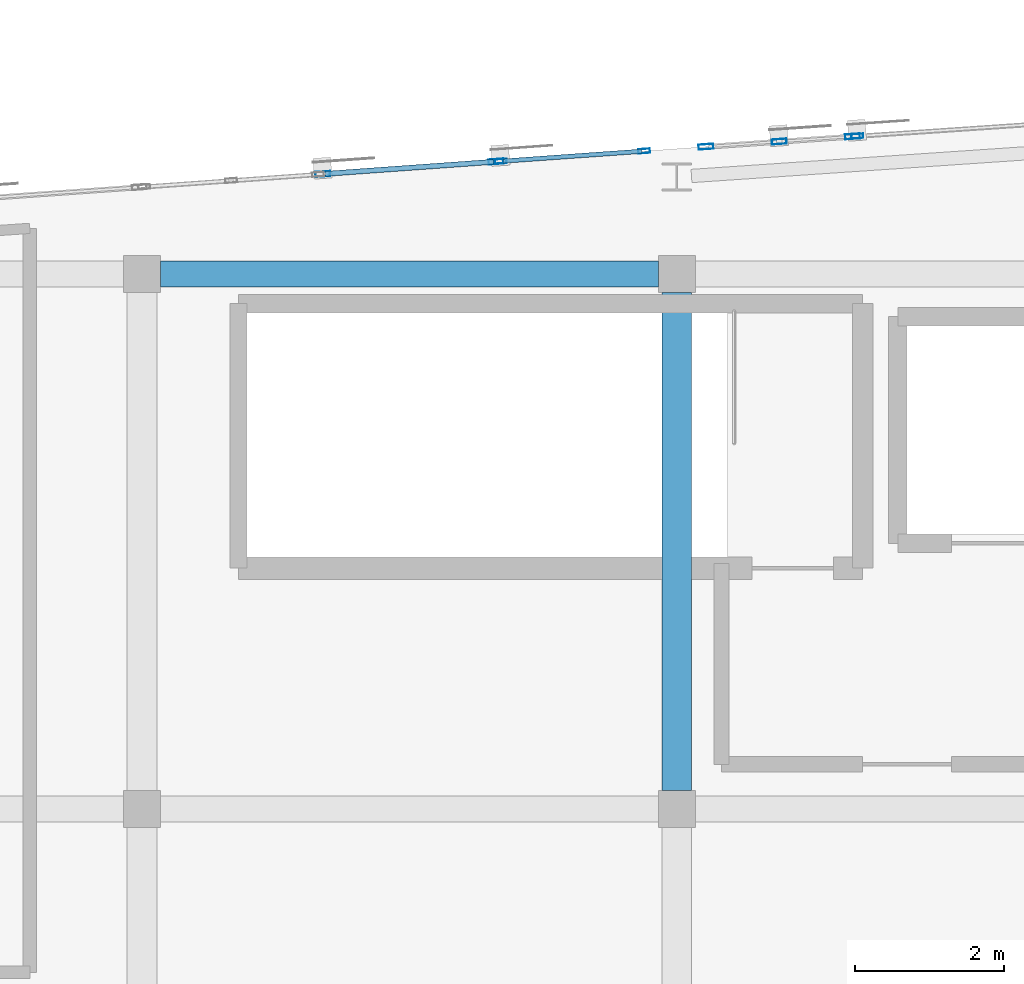
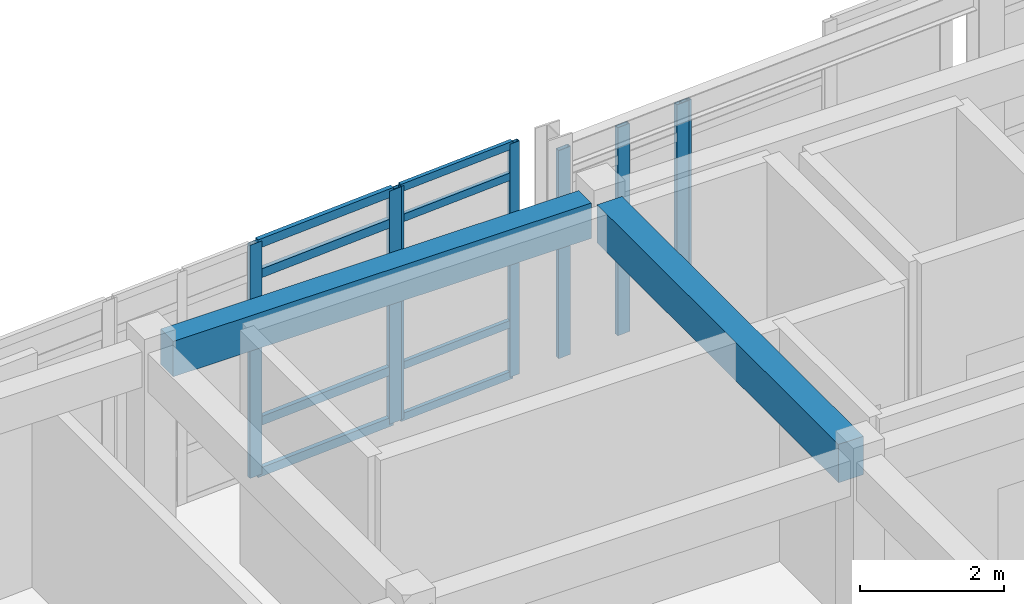
# One storey, part 5 of 24: 16 members, 2 beams, 4 elements without a shape of their own.
"""IFC4 building model written with IfcOpenShell, lengths in metres."""

from ifc_helpers import new_model, si_unit, direction, frame, origin, origin_2d, place, context, subcontext, project, spatial, rectangle, hollow_rectangle, extrude, material, layer, layer_set, material_profile, profile_set, type_object, element, aggregate, save


model = new_model("IFC4")

# Units and contexts
model_context = context("Model", 3, precision=1e-05, world=origin(), true_north=direction((0.0, 1.0)))
body_context = subcontext(model_context, "Body", "Model", "MODEL_VIEW")
ifc_project = project(units=[si_unit("LENGTHUNIT", "METRE"), si_unit("AREAUNIT", "SQUARE_METRE"), si_unit("VOLUMEUNIT", "CUBIC_METRE"), si_unit("PLANEANGLEUNIT", "RADIAN"), si_unit("MASSUNIT", "GRAM", prefix="KILO")], contexts=[model_context])

# Site, building, storey
site_placement = place(None, origin())
site = spatial("IfcSite", under=ifc_project, at=site_placement, CompositionType="ELEMENT")
building_placement = place(site_placement, origin())
building = spatial("IfcBuilding", under=site, at=building_placement, Name="Carrowvane Square Congress Hotel", CompositionType="ELEMENT")
storey_placement = place(building_placement, frame((0.0, 0.0, 44.39990234375)))
storey = spatial("IfcBuildingStorey", under=building, at=storey_placement, Name="L11", CompositionType="ELEMENT", Elevation=44.39990234375)

# Beams
ifc_material_1 = material(Name="Concrete C35/45", Category="concrete")
ifc_material_profile_1 = material_profile(ifc_material_1, rectangle(XDim=0.35009765625, YDim=0.60009765625, at=origin_2d()), Name="RC 350x600")
ifc_profile_set_1 = profile_set([ifc_material_profile_1], Name="Concrete C35/45")
beam_type_1 = type_object("IfcBeamType", Name="BM-RC-350x600", PredefinedType="BEAM", material=ifc_profile_set_1)
beam_1_placement = place(storey_placement, frame((55.050048828125, 113.39990234375, 3.650146484375), z_axis=(1.0, 0.0, 0.0), x_axis=(0.0, 1.0, 0.0)))
element("IfcBeam", 1, at=beam_1_placement, inside=storey, type_object=beam_type_1, Name="RF girder R/7-8", PredefinedType="BEAM", context=body_context, shape_type="SweptSolid", body=[
    extrude(rectangle(XDim=0.35009765625, YDim=0.60009765625, at=origin_2d()), origin(), (0.0, 0.0, 1.0), 6.699951171875),
])
ifc_material_2 = material(Name="Concrete C35/45", Category="concrete")
ifc_material_profile_2 = material_profile(ifc_material_2, rectangle(XDim=0.39990234375, YDim=0.64990234375, at=origin_2d()), Name="RC 400x650")
ifc_profile_set_2 = profile_set([ifc_material_profile_2], Name="Concrete C35/45")
beam_type_2 = type_object("IfcBeamType", Name="BM-RC-400x650", PredefinedType="BEAM", material=ifc_profile_set_2)
beam_2_placement = place(storey_placement, frame((62.0, 106.449951171875, 3.625), z_axis=(0.0, 1.0, 0.0), x_axis=(-1.0, 0.0, 0.0)))
element("IfcBeam", 2, at=beam_2_placement, inside=storey, type_object=beam_type_2, Name="RF girder 8/Q-R", PredefinedType="BEAM", context=body_context, shape_type="SweptSolid", body=[
    extrude(rectangle(XDim=0.39990234375, YDim=0.64990234375, at=origin_2d()), origin(), (0.0, 0.0, 1.0), 6.699951171875),
])

# Curtain wall, members
ifc_material_3 = material(Name="Anodised aluminium", Category="aluminium")
ifc_layer_1 = layer(ifc_material_3, 0.23388671875)
ifc_layer_set_1 = layer_set([ifc_layer_1], Name="Anodised aluminium")
curtain_wall_type_1 = type_object("IfcCurtainWallType", Name="CW-SYS-7", PredefinedType="NOTDEFINED", material=ifc_layer_set_1)
curtain_wall_1_placement = place(storey_placement, origin())
curtain_wall_1 = element("IfcCurtainWall", 3, at=curtain_wall_1_placement, inside=storey, type_object=curtain_wall_type_1, Name="L11 unitised curtain wall 590", PredefinedType="NOTDEFINED")
ifc_material_4 = material(Name="Anodised aluminium", Category="aluminium")
ifc_material_profile_3 = material_profile(ifc_material_4, hollow_rectangle(XDim=0.06005859375, YDim=0.159912109375, WallThickness=0.00390625, at=origin_2d()), Name="CW-ML 60x160x4")
ifc_profile_set_3 = profile_set([ifc_material_profile_3], Name="Anodised aluminium")
member_type_1 = type_object("IfcMemberType", Name="CW-MUL-1", PredefinedType="MULLION", material=ifc_profile_set_3)
member_1_placement = place(storey_placement, frame((59.6298828125, 114.91748046875, 0.0), z_axis=(0.0, 0.0, 1.0), x_axis=(-0.070960217342, 0.997479146426, 0.0)))
member_1 = element("IfcMember", 4, at=member_1_placement, type_object=member_type_1, Name="CW-7 mullion 1", PredefinedType="MULLION", context=body_context, shape_type="SweptSolid", body=[
    extrude(hollow_rectangle(XDim=0.06005859375, YDim=0.159912109375, WallThickness=0.00390625, at=origin_2d()), origin(), (0.0, 0.0, 1.0), 3.9501953125),
])
member_2_placement = place(storey_placement, frame((61.5595703125, 115.0546875, 0.0), z_axis=(0.0, 0.0, 1.0), x_axis=(-0.070960217342, 0.997479146426, 0.0)))
member_2 = element("IfcMember", 5, at=member_2_placement, type_object=member_type_1, Name="CW-7 mullion 2", PredefinedType="MULLION", context=body_context, shape_type="SweptSolid", body=[
    extrude(hollow_rectangle(XDim=0.06005859375, YDim=0.159912109375, WallThickness=0.00390625, at=origin_2d()), origin(), (0.0, 0.0, 1.0), 3.9501953125),
])

# Curtain wall, member
ifc_material_5 = material(Name="Anodised aluminium", Category="aluminium")
ifc_layer_2 = layer(ifc_material_5, 0.162109375)
ifc_layer_set_2 = layer_set([ifc_layer_2], Name="Anodised aluminium")
curtain_wall_type_2 = type_object("IfcCurtainWallType", Name="CW-SYS-1", PredefinedType="NOTDEFINED", material=ifc_layer_set_2)
curtain_wall_2_placement = place(storey_placement, origin())
curtain_wall_2 = element("IfcCurtainWall", 6, at=curtain_wall_2_placement, inside=storey, type_object=curtain_wall_type_2, Name="L11 unitised curtain wall 592", PredefinedType="NOTDEFINED")
member_3_placement = place(storey_placement, frame((64.429931640625, 115.255859375, 0.0), z_axis=(0.0, 0.0, 1.0), x_axis=(-0.067865424104, 0.997694484404, 0.0)))
member_3 = element("IfcMember", 7, at=member_3_placement, type_object=member_type_1, Name="CW-1 mullion 1", PredefinedType="MULLION", context=body_context, shape_type="SweptSolid", body=[
    extrude(hollow_rectangle(XDim=0.06005859375, YDim=0.159912109375, WallThickness=0.00390625, at=origin_2d()), origin(), (0.0, 0.0, 1.0), 3.525634765625),
])
aggregate(curtain_wall_2, [member_3])

# Curtain wall, members
ifc_material_6 = material(Name="Anodised aluminium", Category="aluminium")
ifc_layer_3 = layer(ifc_material_6, 0.221923828125)
ifc_layer_set_3 = layer_set([ifc_layer_3], Name="Anodised aluminium")
curtain_wall_type_3 = type_object("IfcCurtainWallType", Name="CW-SYS-6", PredefinedType="NOTDEFINED", material=ifc_layer_set_3)
curtain_wall_3_placement = place(storey_placement, origin())
curtain_wall_3 = element("IfcCurtainWall", 8, at=curtain_wall_3_placement, inside=storey, type_object=curtain_wall_type_3, Name="L11 unitised curtain wall 589", PredefinedType="NOTDEFINED")
ifc_material_7 = material(Name="Anodised aluminium", Category="aluminium")
ifc_material_profile_4 = material_profile(ifc_material_7, hollow_rectangle(XDim=0.070068359375, YDim=0.199951171875, WallThickness=0.0048828125, at=origin_2d()), Name="CW-ML 70x200x5")
ifc_profile_set_4 = profile_set([ifc_material_profile_4], Name="Anodised aluminium")
member_type_2 = type_object("IfcMemberType", Name="CW-MUL-2", PredefinedType="MULLION", material=ifc_profile_set_4)
member_4_placement = place(storey_placement, frame((57.23486328125, 114.74560546875, 0.0), z_axis=(0.0, 0.0, 1.0), x_axis=(-0.071531759512, 0.997438322595, 0.0)))
member_4 = element("IfcMember", 9, at=member_4_placement, type_object=member_type_2, Name="CW-6 mullion 1", PredefinedType="MULLION", context=body_context, shape_type="SweptSolid", body=[
    extrude(hollow_rectangle(XDim=0.070068359375, YDim=0.199951171875, WallThickness=0.0048828125, at=origin_2d()), origin(), (0.0, 0.0, 1.0), 3.9501953125),
])
member_5_placement = place(storey_placement, frame((59.565185546875, 114.912841796875, 0.0), z_axis=(0.0, 0.0, 1.0), x_axis=(-0.071531759512, 0.997438322595, 0.0)))
member_5 = element("IfcMember", 10, at=member_5_placement, type_object=member_type_2, Name="CW-6 mullion 2", PredefinedType="MULLION", context=body_context, shape_type="SweptSolid", body=[
    extrude(hollow_rectangle(XDim=0.070068359375, YDim=0.199951171875, WallThickness=0.0048828125, at=origin_2d()), origin(), (0.0, 0.0, 1.0), 3.9501953125),
])

ifc_material_8 = material(Name="Anodised aluminium", Category="aluminium")
ifc_layer_4 = layer(ifc_material_8, 0.24609375)
ifc_layer_set_4 = layer_set([ifc_layer_4], Name="Anodised aluminium")
curtain_wall_type_4 = type_object("IfcCurtainWallType", Name="CW-SYS-8", PredefinedType="NOTDEFINED", material=ifc_layer_set_4)
curtain_wall_4_placement = place(storey_placement, origin())
curtain_wall_4 = element("IfcCurtainWall", 11, at=curtain_wall_4_placement, inside=storey, type_object=curtain_wall_type_4, Name="L11 unitised curtain wall 591", PredefinedType="NOTDEFINED")
member_6_placement = place(storey_placement, frame((62.39208984375, 115.11328125, 0.0), z_axis=(0.0, 0.0, 1.0), x_axis=(-0.069723822092, 0.997566332949, 0.0)))
member_6 = element("IfcMember", 12, at=member_6_placement, type_object=member_type_2, Name="CW-8 mullion 1", PredefinedType="MULLION", context=body_context, shape_type="SweptSolid", body=[
    extrude(hollow_rectangle(XDim=0.070068359375, YDim=0.199951171875, WallThickness=0.0048828125, at=origin_2d()), origin(), (0.0, 0.0, 1.0), 3.525634765625),
])
member_7_placement = place(storey_placement, frame((63.378662109375, 115.182373046875, 0.0), z_axis=(0.0, 0.0, 1.0), x_axis=(-0.069723822092, 0.997566332949, 0.0)))
member_7 = element("IfcMember", 13, at=member_7_placement, type_object=member_type_2, Name="CW-8 mullion 2", PredefinedType="MULLION", context=body_context, shape_type="SweptSolid", body=[
    extrude(hollow_rectangle(XDim=0.070068359375, YDim=0.199951171875, WallThickness=0.0048828125, at=origin_2d()), origin(), (0.0, 0.0, 1.0), 3.525634765625),
])
member_8_placement = place(storey_placement, frame((64.365234375, 115.251220703125, 0.0), z_axis=(0.0, 0.0, 1.0), x_axis=(-0.069723822092, 0.997566332949, 0.0)))
member_8 = element("IfcMember", 14, at=member_8_placement, type_object=member_type_2, Name="CW-8 mullion 3", PredefinedType="MULLION", context=body_context, shape_type="SweptSolid", body=[
    extrude(hollow_rectangle(XDim=0.070068359375, YDim=0.199951171875, WallThickness=0.0048828125, at=origin_2d()), origin(), (0.0, 0.0, 1.0), 3.525634765625),
])
aggregate(curtain_wall_4, [member_6, member_7, member_8])

# Member
ifc_material_9 = material(Name="Anodised aluminium", Category="aluminium")
ifc_material_profile_5 = material_profile(ifc_material_9, hollow_rectangle(XDim=0.06005859375, YDim=0.1298828125, WallThickness=0.00390625, at=origin_2d()), Name="CW-TR 60x130x4")
ifc_profile_set_5 = profile_set([ifc_material_profile_5], Name="Anodised aluminium")
member_type_3 = type_object("IfcMemberType", Name="CW-TRN-1", PredefinedType="USERDEFINED", material=ifc_profile_set_5)
member_9_placement = place(storey_placement, frame((59.659912109375, 114.91943359375, 0.030029296875), z_axis=(0.997477179268, 0.070987864025, 0.0), x_axis=(-0.070987864025, 0.997477179268, 0.0)))
member_9 = element("IfcMember", 15, at=member_9_placement, type_object=member_type_3, Name="CW-7 transom 1.1", ObjectType="TRANSOM", PredefinedType="USERDEFINED", context=body_context, shape_type="SweptSolid", body=[
    extrude(hollow_rectangle(XDim=0.06005859375, YDim=0.1298828125, WallThickness=0.00390625, at=origin_2d()), origin(), (0.0, 0.0, 1.0), 1.874267578125),
])

member_10_placement = place(storey_placement, frame((59.659912109375, 114.91943359375, 0.900146484375), z_axis=(0.997477179268, 0.070987864025, 0.0), x_axis=(-0.070987864025, 0.997477179268, 0.0)))
member_10 = element("IfcMember", 16, at=member_10_placement, type_object=member_type_3, Name="CW-7 transom 1.2", ObjectType="TRANSOM", PredefinedType="USERDEFINED", context=body_context, shape_type="SweptSolid", body=[
    extrude(hollow_rectangle(XDim=0.06005859375, YDim=0.1298828125, WallThickness=0.00390625, at=origin_2d()), origin(), (0.0, 0.0, 1.0), 1.874267578125),
])

member_11_placement = place(storey_placement, frame((59.659912109375, 114.91943359375, 3.400146484375), z_axis=(0.997477179268, 0.070987864025, 0.0), x_axis=(-0.070987864025, 0.997477179268, 0.0)))
member_11 = element("IfcMember", 17, at=member_11_placement, type_object=member_type_3, Name="CW-7 transom 1.3", ObjectType="TRANSOM", PredefinedType="USERDEFINED", context=body_context, shape_type="SweptSolid", body=[
    extrude(hollow_rectangle(XDim=0.06005859375, YDim=0.1298828125, WallThickness=0.00390625, at=origin_2d()), origin(), (0.0, 0.0, 1.0), 1.874267578125),
])

member_12_placement = place(storey_placement, frame((59.659912109375, 114.91943359375, 3.920166015625), z_axis=(0.997477179268, 0.070987864025, 0.0), x_axis=(-0.070987864025, 0.997477179268, 0.0)))
member_12 = element("IfcMember", 18, at=member_12_placement, type_object=member_type_3, Name="CW-7 transom 1.4", ObjectType="TRANSOM", PredefinedType="USERDEFINED", context=body_context, shape_type="SweptSolid", body=[
    extrude(hollow_rectangle(XDim=0.06005859375, YDim=0.1298828125, WallThickness=0.00390625, at=origin_2d()), origin(), (0.0, 0.0, 1.0), 1.874267578125),
])

aggregate(curtain_wall_1, [member_1, member_2, member_9, member_10, member_11, member_12])

ifc_material_10 = material(Name="Anodised aluminium", Category="aluminium")
ifc_material_profile_6 = material_profile(ifc_material_10, hollow_rectangle(XDim=0.070068359375, YDim=0.14990234375, WallThickness=0.0048828125, at=origin_2d()), Name="CW-TR 70x150x5")
ifc_profile_set_6 = profile_set([ifc_material_profile_6], Name="Anodised aluminium")
member_type_4 = type_object("IfcMemberType", Name="CW-TRN-2", PredefinedType="USERDEFINED", material=ifc_profile_set_6)
member_13_placement = place(storey_placement, frame((57.269775390625, 114.748046875, 0.03515625), z_axis=(0.99743842674, 0.071530307307, 0.0), x_axis=(-0.071530307307, 0.99743842674, 0.0)))
member_13 = element("IfcMember", 19, at=member_13_placement, type_object=member_type_4, Name="CW-6 transom 1.1", ObjectType="TRANSOM", PredefinedType="USERDEFINED", context=body_context, shape_type="SweptSolid", body=[
    extrude(hollow_rectangle(XDim=0.070068359375, YDim=0.14990234375, WallThickness=0.0048828125, at=origin_2d()), origin(), (0.0, 0.0, 1.0), 2.266357421875),
])

member_14_placement = place(storey_placement, frame((57.269775390625, 114.748046875, 0.900146484375), z_axis=(0.99743842674, 0.071530307307, 0.0), x_axis=(-0.071530307307, 0.99743842674, 0.0)))
member_14 = element("IfcMember", 20, at=member_14_placement, type_object=member_type_4, Name="CW-6 transom 1.2", ObjectType="TRANSOM", PredefinedType="USERDEFINED", context=body_context, shape_type="SweptSolid", body=[
    extrude(hollow_rectangle(XDim=0.070068359375, YDim=0.14990234375, WallThickness=0.0048828125, at=origin_2d()), origin(), (0.0, 0.0, 1.0), 2.266357421875),
])

member_15_placement = place(storey_placement, frame((57.269775390625, 114.748046875, 3.400146484375), z_axis=(0.99743842674, 0.071530307307, 0.0), x_axis=(-0.071530307307, 0.99743842674, 0.0)))
member_15 = element("IfcMember", 21, at=member_15_placement, type_object=member_type_4, Name="CW-6 transom 1.3", ObjectType="TRANSOM", PredefinedType="USERDEFINED", context=body_context, shape_type="SweptSolid", body=[
    extrude(hollow_rectangle(XDim=0.070068359375, YDim=0.14990234375, WallThickness=0.0048828125, at=origin_2d()), origin(), (0.0, 0.0, 1.0), 2.266357421875),
])

member_16_placement = place(storey_placement, frame((57.269775390625, 114.748046875, 3.9150390625), z_axis=(0.99743842674, 0.071530307307, 0.0), x_axis=(-0.071530307307, 0.99743842674, 0.0)))
member_16 = element("IfcMember", 22, at=member_16_placement, type_object=member_type_4, Name="CW-6 transom 1.4", ObjectType="TRANSOM", PredefinedType="USERDEFINED", context=body_context, shape_type="SweptSolid", body=[
    extrude(hollow_rectangle(XDim=0.070068359375, YDim=0.14990234375, WallThickness=0.0048828125, at=origin_2d()), origin(), (0.0, 0.0, 1.0), 2.266357421875),
])

aggregate(curtain_wall_3, [member_4, member_5, member_13, member_14, member_15, member_16])

save(model, "model.ifc")
